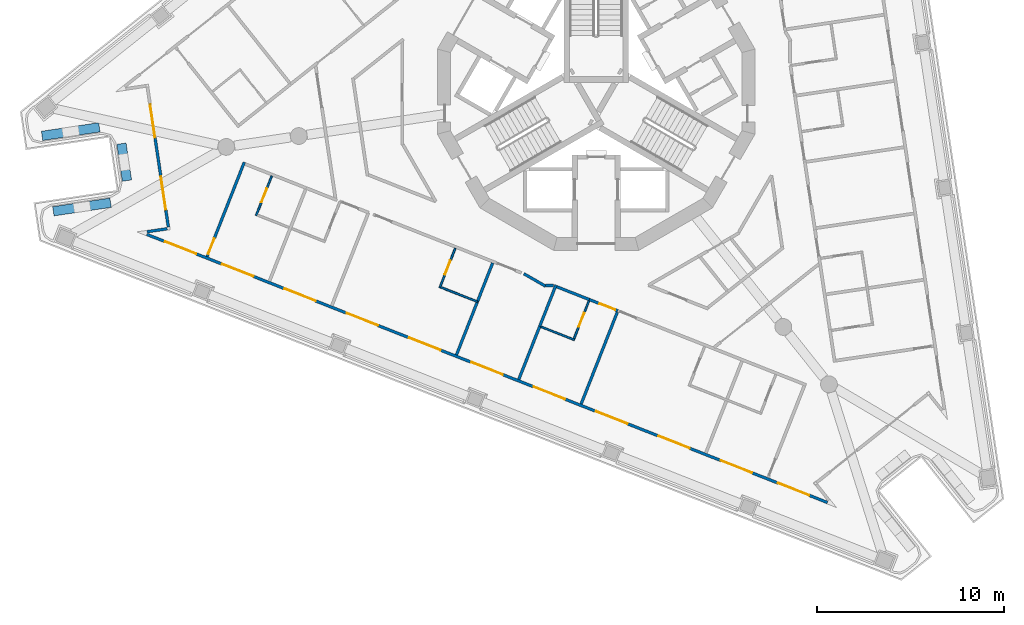
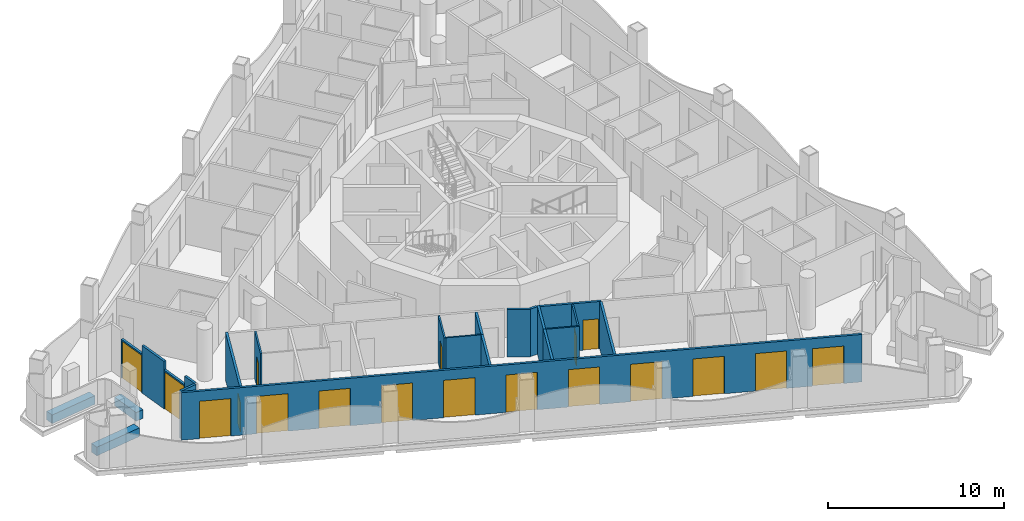
# One storey, part 2 of 17: 24 walls, 18 doors, 18 openings.
"""IFC4 building model written with IfcOpenShell, lengths in metres."""

from ifc_helpers import new_model, si_unit, direction, frame, frame_2d, origin, place, context, subcontext, project, spatial, polyline, rectangle, outline, extrude, material, layer, layer_set, type_object, element, fill, save


model = new_model("IFC4")

# Units and contexts
model_context = context("Model", 3, precision=1e-05, world=origin(), true_north=direction((0.0, 1.0)))
body_context = subcontext(model_context, "Body", "Model", "MODEL_VIEW")
ifc_project = project(units=[si_unit("LENGTHUNIT", "METRE"), si_unit("AREAUNIT", "SQUARE_METRE"), si_unit("VOLUMEUNIT", "CUBIC_METRE"), si_unit("PLANEANGLEUNIT", "RADIAN"), si_unit("MASSUNIT", "GRAM", prefix="KILO")], contexts=[model_context])

# Site, building, storey
site_placement = place(None, origin())
site = spatial("IfcSite", under=ifc_project, at=site_placement, CompositionType="ELEMENT")
building_placement = place(site_placement, origin())
building = spatial("IfcBuilding", under=site, at=building_placement, Name="Trine Commons Tower", CompositionType="ELEMENT")
storey_placement = place(building_placement, frame((0.0, 0.0, 212.39990234375)))
storey = spatial("IfcBuildingStorey", under=building, at=storey_placement, Name="L55", CompositionType="ELEMENT", Elevation=212.39990234375)

# Wall, openings, doors
ifc_material_1 = material(Name="Aluminium-framed insulated wall panel", Category="aluminium")
ifc_layer_1 = layer(ifc_material_1, 0.14990234375)
ifc_layer_set_1 = layer_set([ifc_layer_1], Name="Aluminium-framed insulated wall panel")
wall_type_1 = type_object("IfcWallType", Name="Glazed frame wall 150, EI 60", PredefinedType="SOLIDWALL", material=ifc_layer_set_1)
wall_1_placement = place(storey_placement, frame((92.513916015625, 40.4541015625, 0.0), z_axis=(0.0, 0.0, 1.0), x_axis=(-0.930417922313, 0.3665003272, 0.0)))
wall_1 = element("IfcWall", 1, at=wall_1_placement, inside=storey, type_object=wall_type_1, Name="Glazed frame wall F3", PredefinedType="SOLIDWALL", context=body_context, shape_type="SweptSolid", body=[
    extrude(outline(polyline([(0.1494140625, 0.074951171875), (0.1494140625, -0.074951171875), (39.296875, -0.074951171875), (39.296875, 0.074951171875), (0.1494140625, 0.074951171875)])), origin(), (0.0, 0.0, 1.0), 3.300048828125),
])
opening_1_placement = place(wall_1_placement, frame((1.193115234375, 0.0, 0.0)))
opening_1 = element("IfcOpeningElement", 2, at=opening_1_placement, cuts=wall_1, Name="Opening BD-6F3-01", PredefinedType="OPENING", context=body_context, shape_type="SweptSolid", body=[
    extrude(rectangle(XDim=1.800048828125, YDim=2.60009765625, at=frame_2d((0.89990234375, 1.300048828125))), frame((0.0, 0.0849609375, 0.0), z_axis=(0.0, -1.0, 0.0), x_axis=(1.0, 0.0, 0.0)), (0.0, 0.0, 1.0), 0.169921875),
])
opening_2_placement = place(wall_1_placement, frame((4.47900390625, 0.0, 0.0)))
opening_2 = element("IfcOpeningElement", 3, at=opening_2_placement, cuts=wall_1, Name="Opening BD-6F3-02", PredefinedType="OPENING", context=body_context, shape_type="SweptSolid", body=[
    extrude(rectangle(XDim=1.800048828125, YDim=2.60009765625, at=frame_2d((0.89990234375, 1.300048828125))), frame((0.0, 0.0849609375, 0.0), z_axis=(0.0, -1.0, 0.0), x_axis=(1.0, 0.0, 0.0)), (0.0, 0.0, 1.0), 0.169921875),
])
opening_3_placement = place(wall_1_placement, frame((8.06494140625, 0.0, 0.0)))
opening_3 = element("IfcOpeningElement", 4, at=opening_3_placement, cuts=wall_1, Name="Opening BD-6F3-03", PredefinedType="OPENING", context=body_context, shape_type="SweptSolid", body=[
    extrude(rectangle(XDim=1.800048828125, YDim=2.60009765625, at=frame_2d((0.89990234375, 1.300048828125))), frame((0.0, 0.0849609375, 0.0), z_axis=(0.0, -1.0, 0.0), x_axis=(1.0, 0.0, 0.0)), (0.0, 0.0, 1.0), 0.169921875),
])
opening_4_placement = place(wall_1_placement, frame((11.65087890625, 0.0, 0.0)))
opening_4 = element("IfcOpeningElement", 5, at=opening_4_placement, cuts=wall_1, Name="Opening BD-6F3-04", PredefinedType="OPENING", context=body_context, shape_type="SweptSolid", body=[
    extrude(rectangle(XDim=1.800048828125, YDim=2.60009765625, at=frame_2d((0.89990234375, 1.300048828125))), frame((0.0, 0.0849609375, 0.0), z_axis=(0.0, -1.0, 0.0), x_axis=(1.0, 0.0, 0.0)), (0.0, 0.0, 1.0), 0.169921875),
])
opening_5_placement = place(wall_1_placement, frame((15.237060546875, 0.0, 0.0)))
opening_5 = element("IfcOpeningElement", 6, at=opening_5_placement, cuts=wall_1, Name="Opening BD-6F3-05", PredefinedType="OPENING", context=body_context, shape_type="SweptSolid", body=[
    extrude(rectangle(XDim=1.800048828125, YDim=2.60009765625, at=frame_2d((0.89990234375, 1.300048828125))), frame((0.0, 0.0849609375, 0.0), z_axis=(0.0, -1.0, 0.0), x_axis=(1.0, 0.0, 0.0)), (0.0, 0.0, 1.0), 0.169921875),
])
opening_6_placement = place(wall_1_placement, frame((18.822998046875, 0.0, 0.0)))
opening_6 = element("IfcOpeningElement", 7, at=opening_6_placement, cuts=wall_1, Name="Opening BD-6F3-06", PredefinedType="OPENING", context=body_context, shape_type="SweptSolid", body=[
    extrude(rectangle(XDim=1.800048828125, YDim=2.60009765625, at=frame_2d((0.89990234375, 1.300048828125))), frame((0.0, 0.0849609375, 0.0), z_axis=(0.0, -1.0, 0.0), x_axis=(1.0, 0.0, 0.0)), (0.0, 0.0, 1.0), 0.169921875),
])
opening_7_placement = place(wall_1_placement, frame((22.408935546875, 0.0, 0.0)))
opening_7 = element("IfcOpeningElement", 8, at=opening_7_placement, cuts=wall_1, Name="Opening BD-6F3-07", PredefinedType="OPENING", context=body_context, shape_type="SweptSolid", body=[
    extrude(rectangle(XDim=1.800048828125, YDim=2.60009765625, at=frame_2d((0.89990234375, 1.300048828125))), frame((0.0, 0.0849609375, 0.0), z_axis=(0.0, -1.0, 0.0), x_axis=(1.0, 0.0, 0.0)), (0.0, 0.0, 1.0), 0.169921875),
])
opening_8_placement = place(wall_1_placement, frame((25.9951171875, 0.0, 0.0)))
opening_8 = element("IfcOpeningElement", 9, at=opening_8_placement, cuts=wall_1, Name="Opening BD-6F3-08", PredefinedType="OPENING", context=body_context, shape_type="SweptSolid", body=[
    extrude(rectangle(XDim=1.800048828125, YDim=2.60009765625, at=frame_2d((0.89990234375, 1.300048828125))), frame((0.0, 0.0849609375, 0.0), z_axis=(0.0, -1.0, 0.0), x_axis=(1.0, 0.0, 0.0)), (0.0, 0.0, 1.0), 0.169921875),
])
opening_9_placement = place(wall_1_placement, frame((29.5810546875, 0.0, 0.0)))
opening_9 = element("IfcOpeningElement", 10, at=opening_9_placement, cuts=wall_1, Name="Opening BD-6F3-09", PredefinedType="OPENING", context=body_context, shape_type="SweptSolid", body=[
    extrude(rectangle(XDim=1.800048828125, YDim=2.60009765625, at=frame_2d((0.89990234375, 1.300048828125))), frame((0.0, 0.0849609375, 0.0), z_axis=(0.0, -1.0, 0.0), x_axis=(1.0, 0.0, 0.0)), (0.0, 0.0, 1.0), 0.169921875),
])
opening_10_placement = place(wall_1_placement, frame((33.1669921875, 0.0, 0.0)))
opening_10 = element("IfcOpeningElement", 11, at=opening_10_placement, cuts=wall_1, Name="Opening BD-6F3-10", PredefinedType="OPENING", context=body_context, shape_type="SweptSolid", body=[
    extrude(rectangle(XDim=1.800048828125, YDim=2.60009765625, at=frame_2d((0.89990234375, 1.300048828125))), frame((0.0, 0.0849609375, 0.0), z_axis=(0.0, -1.0, 0.0), x_axis=(1.0, 0.0, 0.0)), (0.0, 0.0, 1.0), 0.169921875),
])
opening_11_placement = place(wall_1_placement, frame((36.452880859375, 0.0, 0.0)))
opening_11 = element("IfcOpeningElement", 12, at=opening_11_placement, cuts=wall_1, Name="Opening BD-6F3-11", PredefinedType="OPENING", context=body_context, shape_type="SweptSolid", body=[
    extrude(rectangle(XDim=1.800048828125, YDim=2.60009765625, at=frame_2d((0.89990234375, 1.300048828125))), frame((0.0, 0.0849609375, 0.0), z_axis=(0.0, -1.0, 0.0), x_axis=(1.0, 0.0, 0.0)), (0.0, 0.0, 1.0), 0.169921875),
])
ifc_material_2 = material(Name="Anodised aluminium frame with double glazing", Category="aluminium")
door_type_1 = type_object("IfcDoorType", Name="Sliding loggia door 1800x2600", OperationType="SLIDING_TO_LEFT", PredefinedType="DOOR", material=ifc_material_2)
door_1_placement = place(opening_1_placement, origin())
door_1 = element("IfcDoor", 13, at=door_1_placement, inside=storey, type_object=door_type_1, Name="Loggia door F3 1", OperationType="SLIDING_TO_LEFT", OverallHeight=2.60009765625, OverallWidth=1.800048828125, PredefinedType="DOOR", context=body_context, shape_type="SweptSolid", body=[
    extrude(rectangle(XDim=1.800048828125, YDim=2.60009765625, at=frame_2d((0.89990234375, 1.300048828125))), frame((0.0, 0.02490234375, 0.0), z_axis=(0.0, -1.0, 0.0), x_axis=(1.0, 0.0, 0.0)), (0.0, 0.0, 1.0), 0.050048828125),
])
fill(opening_1, door_1)
door_2_placement = place(opening_2_placement, origin())
door_2 = element("IfcDoor", 14, at=door_2_placement, inside=storey, type_object=door_type_1, Name="Loggia door F3 2", OperationType="SLIDING_TO_LEFT", OverallHeight=2.60009765625, OverallWidth=1.800048828125, PredefinedType="DOOR", context=body_context, shape_type="SweptSolid", body=[
    extrude(rectangle(XDim=1.800048828125, YDim=2.60009765625, at=frame_2d((0.89990234375, 1.300048828125))), frame((0.0, 0.02490234375, 0.0), z_axis=(0.0, -1.0, 0.0), x_axis=(1.0, 0.0, 0.0)), (0.0, 0.0, 1.0), 0.050048828125),
])
fill(opening_2, door_2)
door_3_placement = place(opening_3_placement, origin())
door_3 = element("IfcDoor", 15, at=door_3_placement, inside=storey, type_object=door_type_1, Name="Loggia door F3 3", OperationType="SLIDING_TO_LEFT", OverallHeight=2.60009765625, OverallWidth=1.800048828125, PredefinedType="DOOR", context=body_context, shape_type="SweptSolid", body=[
    extrude(rectangle(XDim=1.800048828125, YDim=2.60009765625, at=frame_2d((0.89990234375, 1.300048828125))), frame((0.0, 0.02490234375, 0.0), z_axis=(0.0, -1.0, 0.0), x_axis=(1.0, 0.0, 0.0)), (0.0, 0.0, 1.0), 0.050048828125),
])
fill(opening_3, door_3)
door_4_placement = place(opening_4_placement, origin())
door_4 = element("IfcDoor", 16, at=door_4_placement, inside=storey, type_object=door_type_1, Name="Loggia door F3 4", OperationType="SLIDING_TO_LEFT", OverallHeight=2.60009765625, OverallWidth=1.800048828125, PredefinedType="DOOR", context=body_context, shape_type="SweptSolid", body=[
    extrude(rectangle(XDim=1.800048828125, YDim=2.60009765625, at=frame_2d((0.89990234375, 1.300048828125))), frame((0.0, 0.02490234375, 0.0), z_axis=(0.0, -1.0, 0.0), x_axis=(1.0, 0.0, 0.0)), (0.0, 0.0, 1.0), 0.050048828125),
])
fill(opening_4, door_4)
door_5_placement = place(opening_5_placement, origin())
door_5 = element("IfcDoor", 17, at=door_5_placement, inside=storey, type_object=door_type_1, Name="Loggia door F3 5", OperationType="SLIDING_TO_LEFT", OverallHeight=2.60009765625, OverallWidth=1.800048828125, PredefinedType="DOOR", context=body_context, shape_type="SweptSolid", body=[
    extrude(rectangle(XDim=1.800048828125, YDim=2.60009765625, at=frame_2d((0.89990234375, 1.300048828125))), frame((0.0, 0.02490234375, 0.0), z_axis=(0.0, -1.0, 0.0), x_axis=(1.0, 0.0, 0.0)), (0.0, 0.0, 1.0), 0.050048828125),
])
fill(opening_5, door_5)
door_6_placement = place(opening_6_placement, origin())
door_6 = element("IfcDoor", 18, at=door_6_placement, inside=storey, type_object=door_type_1, Name="Loggia door F3 6", OperationType="SLIDING_TO_LEFT", OverallHeight=2.60009765625, OverallWidth=1.800048828125, PredefinedType="DOOR", context=body_context, shape_type="SweptSolid", body=[
    extrude(rectangle(XDim=1.800048828125, YDim=2.60009765625, at=frame_2d((0.89990234375, 1.300048828125))), frame((0.0, 0.02490234375, 0.0), z_axis=(0.0, -1.0, 0.0), x_axis=(1.0, 0.0, 0.0)), (0.0, 0.0, 1.0), 0.050048828125),
])
fill(opening_6, door_6)
door_7_placement = place(opening_7_placement, origin())
door_7 = element("IfcDoor", 19, at=door_7_placement, inside=storey, type_object=door_type_1, Name="Loggia door F3 7", OperationType="SLIDING_TO_LEFT", OverallHeight=2.60009765625, OverallWidth=1.800048828125, PredefinedType="DOOR", context=body_context, shape_type="SweptSolid", body=[
    extrude(rectangle(XDim=1.800048828125, YDim=2.60009765625, at=frame_2d((0.89990234375, 1.300048828125))), frame((0.0, 0.02490234375, 0.0), z_axis=(0.0, -1.0, 0.0), x_axis=(1.0, 0.0, 0.0)), (0.0, 0.0, 1.0), 0.050048828125),
])
fill(opening_7, door_7)
door_8_placement = place(opening_8_placement, origin())
door_8 = element("IfcDoor", 20, at=door_8_placement, inside=storey, type_object=door_type_1, Name="Loggia door F3 8", OperationType="SLIDING_TO_LEFT", OverallHeight=2.60009765625, OverallWidth=1.800048828125, PredefinedType="DOOR", context=body_context, shape_type="SweptSolid", body=[
    extrude(rectangle(XDim=1.800048828125, YDim=2.60009765625, at=frame_2d((0.89990234375, 1.300048828125))), frame((0.0, 0.02490234375, 0.0), z_axis=(0.0, -1.0, 0.0), x_axis=(1.0, 0.0, 0.0)), (0.0, 0.0, 1.0), 0.050048828125),
])
fill(opening_8, door_8)
door_9_placement = place(opening_9_placement, origin())
door_9 = element("IfcDoor", 21, at=door_9_placement, inside=storey, type_object=door_type_1, Name="Loggia door F3 9", OperationType="SLIDING_TO_LEFT", OverallHeight=2.60009765625, OverallWidth=1.800048828125, PredefinedType="DOOR", context=body_context, shape_type="SweptSolid", body=[
    extrude(rectangle(XDim=1.800048828125, YDim=2.60009765625, at=frame_2d((0.89990234375, 1.300048828125))), frame((0.0, 0.02490234375, 0.0), z_axis=(0.0, -1.0, 0.0), x_axis=(1.0, 0.0, 0.0)), (0.0, 0.0, 1.0), 0.050048828125),
])
fill(opening_9, door_9)
door_10_placement = place(opening_10_placement, origin())
door_10 = element("IfcDoor", 22, at=door_10_placement, inside=storey, type_object=door_type_1, Name="Loggia door F3 10", OperationType="SLIDING_TO_LEFT", OverallHeight=2.60009765625, OverallWidth=1.800048828125, PredefinedType="DOOR", context=body_context, shape_type="SweptSolid", body=[
    extrude(rectangle(XDim=1.800048828125, YDim=2.60009765625, at=frame_2d((0.89990234375, 1.300048828125))), frame((0.0, 0.02490234375, 0.0), z_axis=(0.0, -1.0, 0.0), x_axis=(1.0, 0.0, 0.0)), (0.0, 0.0, 1.0), 0.050048828125),
])
fill(opening_10, door_10)
door_11_placement = place(opening_11_placement, origin())
door_11 = element("IfcDoor", 23, at=door_11_placement, inside=storey, type_object=door_type_1, Name="Loggia door F3 11", OperationType="SLIDING_TO_LEFT", OverallHeight=2.60009765625, OverallWidth=1.800048828125, PredefinedType="DOOR", context=body_context, shape_type="SweptSolid", body=[
    extrude(rectangle(XDim=1.800048828125, YDim=2.60009765625, at=frame_2d((0.89990234375, 1.300048828125))), frame((0.0, 0.02490234375, 0.0), z_axis=(0.0, -1.0, 0.0), x_axis=(1.0, 0.0, 0.0)), (0.0, 0.0, 1.0), 0.050048828125),
])
fill(opening_11, door_11)

# Walls
wall_2_placement = place(storey_placement, frame((55.8203125, 54.978515625, 0.0), z_axis=(0.0, 0.0, 1.0), x_axis=(0.98902141065, 0.147772288596, 0.0)))
element("IfcWall", 24, at=wall_2_placement, inside=storey, type_object=wall_type_1, Name="Glazed frame wall R10", PredefinedType="SOLIDWALL", context=body_context, shape_type="SweptSolid", body=[
    extrude(outline(polyline([(0.1494140625, 0.074951171875), (0.1494140625, -0.074951171875), (1.235107421875, -0.074951171875), (1.235107421875, 0.074951171875), (0.1494140625, 0.074951171875)])), origin(), (0.0, 0.0, 1.0), 3.300048828125),
])
wall_3_placement = place(storey_placement, frame((57.12109375, 55.137451171875, 0.0), z_axis=(0.0, 0.0, 1.0), x_axis=(-0.147946480694, 0.988995368468, 0.0)))
element("IfcWall", 25, at=wall_3_placement, inside=storey, type_object=wall_type_1, Name="Glazed frame wall P3.1", PredefinedType="SOLIDWALL", context=body_context, shape_type="SweptSolid", body=[
    extrude(outline(polyline([(0.110107421875, -0.074951171875), (1.0, -0.074951171875), (1.0, 0.074951171875), (0.110107421875, 0.074951171875), (0.110107421875, -0.074951171875)])), origin(), (0.0, 0.0, 1.0), 3.300048828125),
])

# Wall, opening, door
wall_4_placement = place(storey_placement, frame((56.97314453125, 56.12646484375, 0.0), z_axis=(0.0, 0.0, 1.0), x_axis=(-0.147768643441, 0.989021955275, 0.0)))
wall_4 = element("IfcWall", 26, at=wall_4_placement, inside=storey, type_object=wall_type_1, Name="Glazed frame wall P3.2", PredefinedType="SOLIDWALL", context=body_context, shape_type="SweptSolid", body=[
    extrude(outline(polyline([(0.0, -0.074951171875), (1.89990234375, -0.074951171875), (1.89990234375, 0.074951171875), (0.0, 0.074951171875), (0.0, -0.074951171875)])), origin(), (0.0, 0.0, 1.0), 2.7001953125),
])
opening_12_placement = place(wall_4_placement, frame((0.050048828125, 0.0, 0.0)))
opening_12 = element("IfcOpeningElement", 27, at=opening_12_placement, cuts=wall_4, Name="Opening BD-6P3-01", PredefinedType="OPENING", context=body_context, shape_type="SweptSolid", body=[
    extrude(rectangle(XDim=1.800048828125, YDim=2.60009765625, at=frame_2d((0.89990234375, 1.300048828125))), frame((0.0, 0.0849609375, 0.0), z_axis=(0.0, -1.0, 0.0), x_axis=(1.0, 0.0, 0.0)), (0.0, 0.0, 1.0), 0.169921875),
])
door_12_placement = place(opening_12_placement, origin())
door_12 = element("IfcDoor", 28, at=door_12_placement, inside=storey, type_object=door_type_1, Name="Loggia door P3 1", OperationType="SLIDING_TO_LEFT", OverallHeight=2.60009765625, OverallWidth=1.800048828125, PredefinedType="DOOR", context=body_context, shape_type="SweptSolid", body=[
    extrude(rectangle(XDim=1.800048828125, YDim=2.60009765625, at=frame_2d((0.89990234375, 1.300048828125))), frame((0.0, 0.02490234375, 0.0), z_axis=(0.0, -1.0, 0.0), x_axis=(1.0, 0.0, 0.0)), (0.0, 0.0, 1.0), 0.050048828125),
])
fill(opening_12, door_12)

# Wall
wall_5_placement = place(storey_placement, frame((56.6923828125, 58.005615234375, 0.0), z_axis=(0.0, 0.0, 1.0), x_axis=(-0.147827081252, 0.989013222383, 0.0)))
element("IfcWall", 29, at=wall_5_placement, inside=storey, type_object=wall_type_1, Name="Glazed frame wall P3.3", PredefinedType="SOLIDWALL", context=body_context, shape_type="SweptSolid", body=[
    extrude(outline(polyline([(0.0, -0.074951171875), (2.0, -0.074951171875), (2.0, 0.074951171875), (0.0, 0.074951171875), (0.0, -0.074951171875)])), origin(), (0.0, 0.0, 1.0), 3.300048828125),
])

# Wall, opening, door
wall_6_placement = place(storey_placement, frame((56.396728515625, 59.983642578125, 0.0), z_axis=(0.0, 0.0, 1.0), x_axis=(-0.147768643441, 0.989021955275, 0.0)))
wall_6 = element("IfcWall", 30, at=wall_6_placement, inside=storey, type_object=wall_type_1, Name="Glazed frame wall P3.4", PredefinedType="SOLIDWALL", context=body_context, shape_type="SweptSolid", body=[
    extrude(outline(polyline([(0.0, -0.074951171875), (1.89990234375, -0.074951171875), (1.89990234375, 0.074951171875), (0.0, 0.074951171875), (0.0, -0.074951171875)])), origin(), (0.0, 0.0, 1.0), 2.7001953125),
])
opening_13_placement = place(wall_6_placement, frame((0.050048828125, 0.0, 0.0)))
opening_13 = element("IfcOpeningElement", 31, at=opening_13_placement, cuts=wall_6, Name="Opening BD-6P3-02", PredefinedType="OPENING", context=body_context, shape_type="SweptSolid", body=[
    extrude(rectangle(XDim=1.800048828125, YDim=2.60009765625, at=frame_2d((0.89990234375, 1.300048828125))), frame((0.0, 0.0849609375, 0.0), z_axis=(0.0, -1.0, 0.0), x_axis=(1.0, 0.0, 0.0)), (0.0, 0.0, 1.0), 0.169921875),
])
door_13_placement = place(opening_13_placement, origin())
door_13 = element("IfcDoor", 32, at=door_13_placement, inside=storey, type_object=door_type_1, Name="Loggia door P3 2", OperationType="SLIDING_TO_LEFT", OverallHeight=2.60009765625, OverallWidth=1.800048828125, PredefinedType="DOOR", context=body_context, shape_type="SweptSolid", body=[
    extrude(rectangle(XDim=1.800048828125, YDim=2.60009765625, at=frame_2d((0.89990234375, 1.300048828125))), frame((0.0, 0.02490234375, 0.0), z_axis=(0.0, -1.0, 0.0), x_axis=(1.0, 0.0, 0.0)), (0.0, 0.0, 1.0), 0.050048828125),
])
fill(opening_13, door_13)

# Walls
ifc_material_3 = material(Name="Planter trough, precast concrete C40/50", Category="concrete")
ifc_layer_2 = layer(ifc_material_3, 0.5)
ifc_layer_set_2 = layer_set([ifc_layer_2], Name="Planter trough, precast concrete C40/50")
wall_type_2 = type_object("IfcWallType", Name="Planter trough 500x600", PredefinedType="PARAPET", material=ifc_layer_set_2)
wall_7_placement = place(storey_placement, frame((50.94677734375, 56.09521484375, 0.0), z_axis=(0.0, 0.0, 1.0), x_axis=(0.989011904818, 0.147835895942, 0.0)))
element("IfcWall", 33, at=wall_7_placement, inside=storey, type_object=wall_type_2, Name="Planter 1", PredefinedType="PARAPET", context=body_context, shape_type="SweptSolid", body=[
    extrude(rectangle(XDim=3.099853515625, YDim=0.5, at=frame_2d((1.5498046875, 0.0))), origin(), (0.0, 0.0, 1.0), 0.60009765625),
])
wall_8_placement = place(storey_placement, frame((54.887451171875, 57.73583984375, 0.0), z_axis=(0.0, 0.0, 1.0), x_axis=(-0.147827081252, 0.989013222383, 0.0)))
element("IfcWall", 34, at=wall_8_placement, inside=storey, type_object=wall_type_2, Name="Planter 2", PredefinedType="PARAPET", context=body_context, shape_type="SweptSolid", body=[
    extrude(rectangle(XDim=2.0, YDim=0.5, at=frame_2d((1.0, 0.0))), origin(), (0.0, 0.0, 1.0), 0.60009765625),
])
wall_9_placement = place(storey_placement, frame((53.409423828125, 60.588623046875, 0.0), z_axis=(0.0, 0.0, 1.0), x_axis=(-0.989013625991, -0.147824380951, 0.0)))
element("IfcWall", 35, at=wall_9_placement, inside=storey, type_object=wall_type_2, Name="Planter 3", PredefinedType="PARAPET", context=body_context, shape_type="SweptSolid", body=[
    extrude(rectangle(XDim=3.099853515625, YDim=0.5, at=frame_2d((1.5498046875, 0.0))), origin(), (0.0, 0.0, 1.0), 0.60009765625),
])

# Wall, opening, door
ifc_material_4 = material(Name="Gypsum plasterboard on steel stud", Category="steel")
ifc_layer_3 = layer(ifc_material_4, 0.14990234375)
ifc_layer_set_3 = layer_set([ifc_layer_3], Name="Gypsum plasterboard on steel stud")
wall_type_3 = type_object("IfcWallType", Name="Unit and corridor wall 150 mm, EI 60", PredefinedType="PARTITIONING", material=ifc_layer_set_3)
wall_10_placement = place(storey_placement, frame((59.1767578125, 53.666259765625, 0.0), z_axis=(0.0, 0.0, 1.0), x_axis=(0.366413764384, 0.930452015565, 0.0)))
wall_10 = element("IfcWall", 36, at=wall_10_placement, inside=storey, type_object=wall_type_3, Name="Partition 002", PredefinedType="PARTITIONING", context=body_context, shape_type="SweptSolid", body=[
    extrude(rectangle(XDim=5.435546875, YDim=0.14990234375, at=frame_2d((2.7177734375, 0.0))), origin(), (0.0, 0.0, 1.0), 3.300048828125),
])
opening_14_placement = place(wall_10_placement, frame((0.14990234375, 0.0, 0.0)))
opening_14 = element("IfcOpeningElement", 37, at=opening_14_placement, cuts=wall_10, Name="Opening D-6B27", PredefinedType="OPENING", context=body_context, shape_type="SweptSolid", body=[
    extrude(rectangle(XDim=0.89990234375, YDim=2.10009765625, at=frame_2d((0.449951171875, 1.050048828125))), frame((0.0, 0.0849609375, 0.0), z_axis=(0.0, -1.0, 0.0), x_axis=(1.0, 0.0, 0.0)), (0.0, 0.0, 1.0), 0.169921875),
])
ifc_material_5 = material(Name="Timber fire door set", Category="wood")
door_type_2 = type_object("IfcDoorType", Name="Bedroom door 900 x 2100, FD30S", OperationType="NOTDEFINED", PredefinedType="DOOR", material=ifc_material_5)
door_14_placement = place(opening_14_placement, frame((0.89990234375, 0.0, 0.0), z_axis=(0.0, 0.0, 1.0), x_axis=(-1.0, 0.0, 0.0)))
door_14 = element("IfcDoor", 38, at=door_14_placement, inside=storey, type_object=door_type_2, Name="Door D-6B27", OperationType="SINGLE_SWING_RIGHT", OverallHeight=2.10009765625, OverallWidth=0.89990234375, PredefinedType="DOOR", context=body_context, shape_type="SweptSolid", body=[
    extrude(rectangle(XDim=0.89990234375, YDim=2.10009765625, at=frame_2d((0.449951171875, 1.050048828125))), frame((0.0, 0.02490234375, 0.0), z_axis=(0.0, -1.0, 0.0), x_axis=(1.0, 0.0, 0.0)), (0.0, 0.0, 1.0), 0.050048828125),
])
fill(opening_14, door_14)

# Walls
wall_11_placement = place(storey_placement, frame((72.522705078125, 48.4091796875, 0.0), z_axis=(0.0, 0.0, 1.0), x_axis=(0.366591400061, 0.930382042712, 0.0)))
element("IfcWall", 39, at=wall_11_placement, inside=storey, type_object=wall_type_3, Name="Partition 043", PredefinedType="PARTITIONING", context=body_context, shape_type="SweptSolid", body=[
    extrude(rectangle(XDim=3.064208984375, YDim=0.14990234375, at=frame_2d((1.5322265625, 0.0))), origin(), (0.0, 0.0, 1.0), 3.300048828125),
])
wall_12_placement = place(storey_placement, frame((73.64306640625, 51.2529296875, 0.0), z_axis=(0.0, 0.0, 1.0), x_axis=(0.366248689525, 0.930517005444, 0.0)))
element("IfcWall", 40, at=wall_12_placement, inside=storey, type_object=wall_type_3, Name="Partition 046", PredefinedType="PARTITIONING", context=body_context, shape_type="SweptSolid", body=[
    extrude(rectangle(XDim=2.22900390625, YDim=0.14990234375, at=frame_2d((1.114501953125, 0.0))), origin(), (0.0, 0.0, 1.0), 3.300048828125),
])
wall_13_placement = place(storey_placement, frame((75.858642578125, 47.09521484375, 0.0), z_axis=(0.0, 0.0, 1.0), x_axis=(0.366777753462, 0.930308593729, 0.0)))
element("IfcWall", 41, at=wall_13_placement, inside=storey, type_object=wall_type_3, Name="Partition 050", PredefinedType="PARTITIONING", context=body_context, shape_type="SweptSolid", body=[
    extrude(rectangle(XDim=3.059814453125, YDim=0.14990234375, at=frame_2d((1.52978515625, 0.0))), origin(), (0.0, 0.0, 1.0), 3.300048828125),
])
wall_14_placement = place(storey_placement, frame((76.131103515625, 52.75390625, 0.0), z_axis=(0.0, 0.0, 1.0), x_axis=(0.865910926182, -0.500198228624, 0.0)))
element("IfcWall", 42, at=wall_14_placement, inside=storey, type_object=wall_type_3, Name="Partition 051", PredefinedType="PARTITIONING", context=body_context, shape_type="SweptSolid", body=[
    extrude(rectangle(XDim=1.33251953125, YDim=0.14990234375, at=frame_2d((0.666259765625, 0.0))), origin(), (0.0, 0.0, 1.0), 3.300048828125),
])
wall_15_placement = place(storey_placement, frame((76.98095703125, 49.94189453125, 0.0), z_axis=(0.0, 0.0, 1.0), x_axis=(0.366529910892, 0.930406268477, 0.0)))
element("IfcWall", 43, at=wall_15_placement, inside=storey, type_object=wall_type_3, Name="Partition 053", PredefinedType="PARTITIONING", context=body_context, shape_type="SweptSolid", body=[
    extrude(rectangle(XDim=2.375244140625, YDim=0.14990234375, at=frame_2d((1.1875, 0.0))), origin(), (0.0, 0.0, 1.0), 3.300048828125),
])
wall_16_placement = place(storey_placement, frame((77.294921875, 52.125, 0.0), z_axis=(0.0, 0.0, 1.0), x_axis=(1.0, 0.0, 0.0)))
element("IfcWall", 44, at=wall_16_placement, inside=storey, type_object=wall_type_3, Name="Partition 056", PredefinedType="PARTITIONING", context=body_context, shape_type="SweptSolid", body=[
    extrude(rectangle(XDim=0.43212890625, YDim=0.14990234375, at=frame_2d((0.216064453125, 0.0))), origin(), (0.0, 0.0, 1.0), 3.300048828125),
])
wall_17_placement = place(storey_placement, frame((77.890869140625, 52.056396484375, 0.0), z_axis=(0.0, 0.0, 1.0), x_axis=(0.930484781862, -0.366330548443, 0.0)))
element("IfcWall", 45, at=wall_17_placement, inside=storey, type_object=wall_type_3, Name="Partition 060", PredefinedType="PARTITIONING", context=body_context, shape_type="SweptSolid", body=[
    extrude(rectangle(XDim=1.882080078125, YDim=0.14990234375, at=frame_2d((0.94091796875, 0.0))), origin(), (0.0, 0.0, 1.0), 3.300048828125),
])
wall_18_placement = place(storey_placement, frame((79.19580078125, 45.78125, 0.0), z_axis=(0.0, 0.0, 1.0), x_axis=(0.366486950259, 0.930423191505, 0.0)))
element("IfcWall", 46, at=wall_18_placement, inside=storey, type_object=wall_type_3, Name="Partition 063", PredefinedType="PARTITIONING", context=body_context, shape_type="SweptSolid", body=[
    extrude(rectangle(XDim=5.28466796875, YDim=0.14990234375, at=frame_2d((2.642333984375, 0.0))), origin(), (0.0, 0.0, 1.0), 3.300048828125),
])

# Wall, opening, door
wall_19_placement = place(storey_placement, frame((79.635009765625, 51.3701171875, 0.0), z_axis=(0.0, 0.0, 1.0), x_axis=(0.930268646591, -0.366879060686, 0.0)))
wall_19 = element("IfcWall", 47, at=wall_19_placement, inside=storey, type_object=wall_type_3, Name="Partition 066", PredefinedType="PARTITIONING", context=body_context, shape_type="SweptSolid", body=[
    extrude(rectangle(XDim=1.6435546875, YDim=0.14990234375, at=frame_2d((0.82177734375, 0.0))), origin(), (0.0, 0.0, 1.0), 3.300048828125),
])
opening_15_placement = place(wall_19_placement, frame((0.589599609375, 0.0, 0.0)))
opening_15 = element("IfcOpeningElement", 48, at=opening_15_placement, cuts=wall_19, Name="Opening D-6B23", PredefinedType="OPENING", context=body_context, shape_type="SweptSolid", body=[
    extrude(rectangle(XDim=0.89990234375, YDim=2.10009765625, at=frame_2d((0.449951171875, 1.050048828125))), frame((0.0, 0.0849609375, 0.0), z_axis=(0.0, -1.0, 0.0), x_axis=(1.0, 0.0, 0.0)), (0.0, 0.0, 1.0), 0.169921875),
])
door_15_placement = place(opening_15_placement, frame((0.89990234375, 0.0, 0.0), z_axis=(0.0, 0.0, 1.0), x_axis=(-1.0, 0.0, 0.0)))
door_15 = element("IfcDoor", 49, at=door_15_placement, inside=storey, type_object=door_type_2, Name="Door D-6B23", OperationType="SINGLE_SWING_LEFT", OverallHeight=2.10009765625, OverallWidth=0.89990234375, PredefinedType="DOOR", context=body_context, shape_type="SweptSolid", body=[
    extrude(rectangle(XDim=0.89990234375, YDim=2.10009765625, at=frame_2d((0.449951171875, 1.050048828125))), frame((0.0, 0.02490234375, 0.0), z_axis=(0.0, -1.0, 0.0), x_axis=(1.0, 0.0, 0.0)), (0.0, 0.0, 1.0), 0.050048828125),
])
fill(opening_15, door_15)

ifc_layer_4 = layer(ifc_material_4, 0.10009765625)
ifc_layer_set_4 = layer_set([ifc_layer_4], Name="Gypsum plasterboard on steel stud")
wall_type_4 = type_object("IfcWallType", Name="Unit partition 100 mm, no rating", PredefinedType="PARTITIONING", material=ifc_layer_set_4)
wall_20_placement = place(storey_placement, frame((61.8017578125, 55.867431640625, 0.0), z_axis=(0.0, 0.0, 1.0), x_axis=(0.366482291334, 0.930425026608, 0.0)))
wall_20 = element("IfcWall", 50, at=wall_20_placement, inside=storey, type_object=wall_type_4, Name="Partition 008", PredefinedType="PARTITIONING", context=body_context, shape_type="SweptSolid", body=[
    extrude(rectangle(XDim=2.27490234375, YDim=0.10009765625, at=frame_2d((1.137451171875, 0.0))), origin(), (0.0, 0.0, 1.0), 3.300048828125),
])
opening_16_placement = place(wall_20_placement, frame((0.762451171875, 0.0, 0.0)))
opening_16 = element("IfcOpeningElement", 51, at=opening_16_placement, cuts=wall_20, Name="Opening D-6B55", PredefinedType="OPENING", context=body_context, shape_type="SweptSolid", body=[
    extrude(rectangle(XDim=0.800048828125, YDim=2.10009765625, at=frame_2d((0.39990234375, 1.050048828125))), frame((0.0, 0.06005859375, 0.0), z_axis=(0.0, -1.0, 0.0), x_axis=(1.0, 0.0, 0.0)), (0.0, 0.0, 1.0), 0.1201171875),
])
ifc_material_6 = material(Name="Painted timber", Category="wood")
door_type_3 = type_object("IfcDoorType", Name="Internal door 800 x 2100, NOT RATED", OperationType="NOTDEFINED", PredefinedType="DOOR", material=ifc_material_6)
door_16_placement = place(opening_16_placement, origin())
door_16 = element("IfcDoor", 52, at=door_16_placement, inside=storey, type_object=door_type_3, Name="Door D-6B55", OperationType="SINGLE_SWING_RIGHT", OverallHeight=2.10009765625, OverallWidth=0.800048828125, PredefinedType="DOOR", context=body_context, shape_type="SweptSolid", body=[
    extrude(rectangle(XDim=0.800048828125, YDim=2.10009765625, at=frame_2d((0.39990234375, 1.050048828125))), frame((0.0, 0.02490234375, 0.0), z_axis=(0.0, -1.0, 0.0), x_axis=(1.0, 0.0, 0.0)), (0.0, 0.0, 1.0), 0.050048828125),
])
fill(opening_16, door_16)

wall_21_placement = place(storey_placement, frame((71.625732421875, 51.99853515625, 0.0), z_axis=(0.0, 0.0, 1.0), x_axis=(0.366482291334, 0.930425026608, 0.0)))
wall_21 = element("IfcWall", 53, at=wall_21_placement, inside=storey, type_object=wall_type_4, Name="Partition 038", PredefinedType="PARTITIONING", context=body_context, shape_type="SweptSolid", body=[
    extrude(rectangle(XDim=2.27490234375, YDim=0.10009765625, at=frame_2d((1.137451171875, 0.0))), origin(), (0.0, 0.0, 1.0), 3.300048828125),
])
opening_17_placement = place(wall_21_placement, frame((0.762451171875, 0.0, 0.0)))
opening_17 = element("IfcOpeningElement", 54, at=opening_17_placement, cuts=wall_21, Name="Opening D-6B53", PredefinedType="OPENING", context=body_context, shape_type="SweptSolid", body=[
    extrude(rectangle(XDim=0.800048828125, YDim=2.10009765625, at=frame_2d((0.39990234375, 1.050048828125))), frame((0.0, 0.06005859375, 0.0), z_axis=(0.0, -1.0, 0.0), x_axis=(1.0, 0.0, 0.0)), (0.0, 0.0, 1.0), 0.1201171875),
])
door_17_placement = place(opening_17_placement, origin())
door_17 = element("IfcDoor", 55, at=door_17_placement, inside=storey, type_object=door_type_3, Name="Door D-6B53", OperationType="SINGLE_SWING_RIGHT", OverallHeight=2.10009765625, OverallWidth=0.800048828125, PredefinedType="DOOR", context=body_context, shape_type="SweptSolid", body=[
    extrude(rectangle(XDim=0.800048828125, YDim=2.10009765625, at=frame_2d((0.39990234375, 1.050048828125))), frame((0.0, 0.02490234375, 0.0), z_axis=(0.0, -1.0, 0.0), x_axis=(1.0, 0.0, 0.0)), (0.0, 0.0, 1.0), 0.050048828125),
])
fill(opening_17, door_17)

# Walls
wall_22_placement = place(storey_placement, frame((71.6904296875, 52.026611328125, 0.0), z_axis=(0.0, 0.0, 1.0), x_axis=(0.93042040786, -0.366494017192, 0.0)))
element("IfcWall", 56, at=wall_22_placement, inside=storey, type_object=wall_type_4, Name="Partition 039", PredefinedType="PARTITIONING", context=body_context, shape_type="SweptSolid", body=[
    extrude(rectangle(XDim=2.099609375, YDim=0.10009765625, at=frame_2d((1.0498046875, 0.0))), origin(), (0.0, 0.0, 1.0), 3.300048828125),
])
wall_23_placement = place(storey_placement, frame((77.05078125, 49.91455078125, 0.0), z_axis=(0.0, 0.0, 1.0), x_axis=(0.930518470996, -0.366244966021, 0.0)))
element("IfcWall", 57, at=wall_23_placement, inside=storey, type_object=wall_type_4, Name="Partition 054", PredefinedType="PARTITIONING", context=body_context, shape_type="SweptSolid", body=[
    extrude(rectangle(XDim=1.924560546875, YDim=0.10009765625, at=frame_2d((0.96240234375, 0.0))), origin(), (0.0, 0.0, 1.0), 3.300048828125),
])

# Wall, opening, door
wall_24_placement = place(storey_placement, frame((78.813232421875, 49.2744140625, 0.0), z_axis=(0.0, 0.0, 1.0), x_axis=(0.366586349489, 0.930384032735, 0.0)))
wall_24 = element("IfcWall", 58, at=wall_24_placement, inside=storey, type_object=wall_type_4, Name="Partition 061", PredefinedType="PARTITIONING", context=body_context, shape_type="SweptSolid", body=[
    extrude(rectangle(XDim=2.175048828125, YDim=0.10009765625, at=frame_2d((1.08740234375, 0.0))), origin(), (0.0, 0.0, 1.0), 3.300048828125),
])
opening_18_placement = place(wall_24_placement, frame((0.6875, 0.0, 0.0)))
opening_18 = element("IfcOpeningElement", 59, at=opening_18_placement, cuts=wall_24, Name="Opening D-6B52", PredefinedType="OPENING", context=body_context, shape_type="SweptSolid", body=[
    extrude(rectangle(XDim=0.800048828125, YDim=2.10009765625, at=frame_2d((0.39990234375, 1.050048828125))), frame((0.0, 0.06005859375, 0.0), z_axis=(0.0, -1.0, 0.0), x_axis=(1.0, 0.0, 0.0)), (0.0, 0.0, 1.0), 0.1201171875),
])
door_18_placement = place(opening_18_placement, frame((0.800048828125, 0.0, 0.0), z_axis=(0.0, 0.0, 1.0), x_axis=(-1.0, 0.0, 0.0)))
door_18 = element("IfcDoor", 60, at=door_18_placement, inside=storey, type_object=door_type_3, Name="Door D-6B52", OperationType="SINGLE_SWING_LEFT", OverallHeight=2.10009765625, OverallWidth=0.800048828125, PredefinedType="DOOR", context=body_context, shape_type="SweptSolid", body=[
    extrude(rectangle(XDim=0.800048828125, YDim=2.10009765625, at=frame_2d((0.39990234375, 1.050048828125))), frame((0.0, 0.02490234375, 0.0), z_axis=(0.0, -1.0, 0.0), x_axis=(1.0, 0.0, 0.0)), (0.0, 0.0, 1.0), 0.050048828125),
])
fill(opening_18, door_18)

save(model, "model.ifc")
